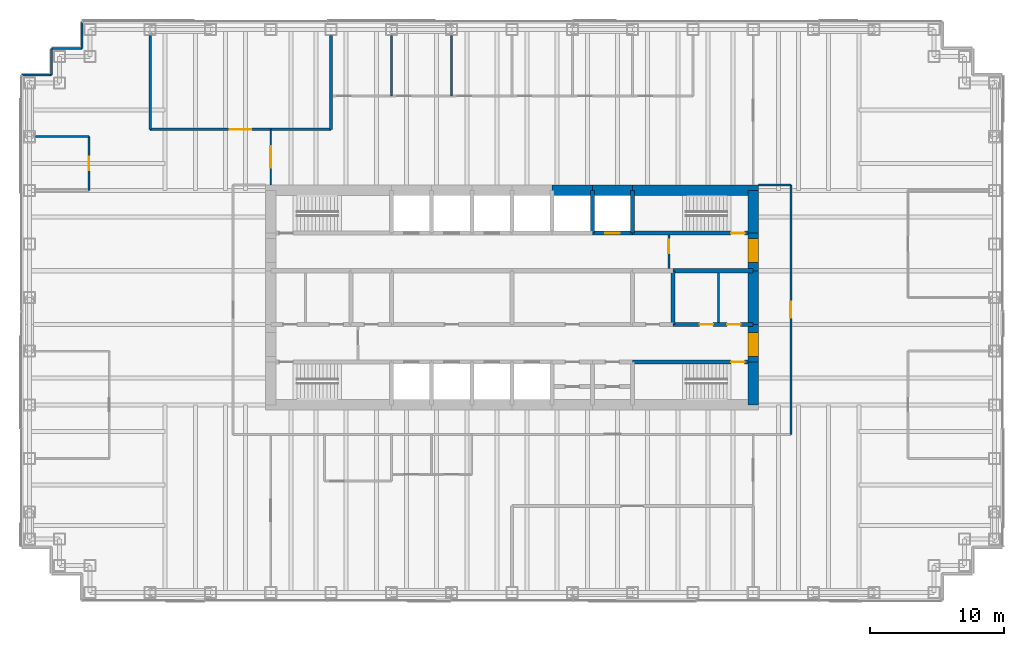
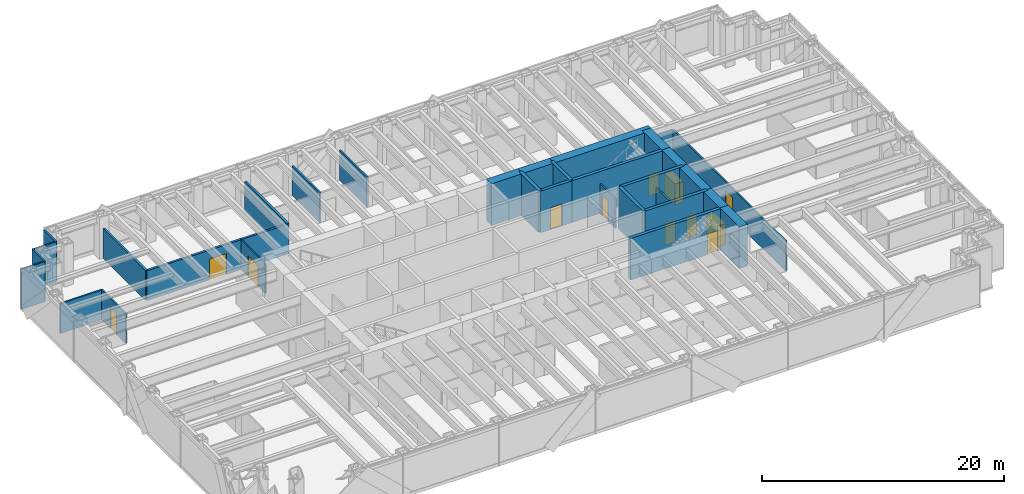
# One storey, part 13 of 15: 32 walls, 12 doors, 12 openings.
"""IFC4 building model written with IfcOpenShell, lengths in metres."""

import ifcopenshell
import ifcopenshell.guid

model = None  # the IFC model being written
_history = None  # IfcOwnerHistory: only IFC2X3 demands one
_inside = {}  # id of a spatial element -> (the spatial element, [elements in it])
_under = {}  # id of a project, library or spatial element -> (it, [spatial elements below it])
_declared = {}  # id of a project -> (the project, [libraries it declares])
_typed = {}  # id of a type object -> (the type object, [elements of that type])
_made_of = {}  # id of a material, layer set ... -> (it, [elements and type objects made of it])


def new_model(schema):
    """Start an empty IFC model of exactly this schema.

    Asked for "IFC4X3", IfcOpenShell would pick the latest addendum, in which some entities
    have other attributes; the version numbers below select the first issue.
    IFC2X3 requires an IfcOwnerHistory on every rooted entity: one is made here for all.
    """
    global model, _history
    if schema == "IFC4X3":
        model = ifcopenshell.file(schema_version=(4, 3, 0, 0))
    else:
        model = ifcopenshell.file(schema=schema)
    _inside.clear()
    _under.clear()
    _declared.clear()
    _typed.clear()
    _made_of.clear()
    _history = None
    if model.schema == "IFC2X3":
        org = make("IfcOrganization", Name="unknown")
        user = make(
            "IfcPersonAndOrganization",
            ThePerson=make("IfcPerson", FamilyName="unknown"),
            TheOrganization=org,
        )
        app = make(
            "IfcApplication",
            ApplicationDeveloper=org,
            Version="unknown",
            ApplicationFullName="unknown",
            ApplicationIdentifier="unknown",
        )
        _history = make(
            "IfcOwnerHistory",
            OwningUser=user,
            OwningApplication=app,
            ChangeAction="ADDED",
            CreationDate=0,
        )
    return model


def make(cls, **values):
    """One entity of the class cls with the attributes given. An attribute that is None is left unset."""
    return model.create_entity(
        cls, **{name: value for name, value in values.items() if value is not None}
    )


def rooted(cls, **values):
    """An entity with a GlobalId (a new one), such as an element, a storey or a relation."""
    return make(cls, GlobalId=ifcopenshell.guid.new(), OwnerHistory=_history, **values)


def si_unit(unit_type, name, prefix=None):
    """IfcSIUnit, for example si_unit("LENGTHUNIT", "METRE", prefix="MILLI")."""
    return make("IfcSIUnit", UnitType=unit_type, Prefix=prefix, Name=name)


def assignment(units):
    """IfcUnitAssignment: the units of a project."""
    return None if units is None else make("IfcUnitAssignment", Units=units)


def point(xyz):
    """IfcCartesianPoint."""
    return None if xyz is None else make("IfcCartesianPoint", Coordinates=xyz)


def direction(xyz):
    """IfcDirection."""
    return None if xyz is None else make("IfcDirection", DirectionRatios=xyz)


def frame(location, z_axis=None, x_axis=None):
    """IfcAxis2Placement3D, a coordinate frame: its origin and axes. An axis left out is left unset."""
    return make(
        "IfcAxis2Placement3D",
        Location=point(location),
        Axis=direction(z_axis),
        RefDirection=direction(x_axis),
    )


def frame_2d(location, x_axis=None):
    """IfcAxis2Placement2D, a coordinate frame in the plane: its origin and x axis."""
    return make(
        "IfcAxis2Placement2D", Location=point(location), RefDirection=direction(x_axis)
    )


def origin():
    """The frame at (0, 0, 0) with its axes left unset."""
    return frame((0.0, 0.0, 0.0))


def place(relative_to, where):
    """IfcLocalPlacement: puts the frame where relative to a parent placement (None: the world)."""
    return make(
        "IfcLocalPlacement", PlacementRelTo=relative_to, RelativePlacement=where
    )


def context(
    kind, dimensions, precision=None, world=None, true_north=None, identifier=None
):
    """IfcGeometricRepresentationContext, for example the 3D "Model" context."""
    return make(
        "IfcGeometricRepresentationContext",
        ContextIdentifier=identifier,
        ContextType=kind,
        CoordinateSpaceDimension=dimensions,
        Precision=precision,
        WorldCoordinateSystem=world,
        TrueNorth=true_north,
    )


def subcontext(parent, identifier, kind, view, scale=None):
    """IfcGeometricRepresentationSubContext, for example "Body" below "Model"."""
    return make(
        "IfcGeometricRepresentationSubContext",
        ContextIdentifier=identifier,
        ContextType=kind,
        ParentContext=parent,
        TargetScale=scale,
        TargetView=view,
    )


def project(units=None, contexts=None):
    """IfcProject with its units and contexts."""
    return rooted(
        "IfcProject",
        Name="project",
        RepresentationContexts=contexts,
        UnitsInContext=assignment(units),
    )


def spatial(cls, under=None, at=None, **own):
    """A site, building, storey or space (cls), placed at a placement, below another one or the project."""
    s = rooted(cls, ObjectPlacement=at, **own)
    if under is not None:
        _under.setdefault(under.id(), (under, []))[1].append(s)
    return s


def profile(cls, at=None, kind="AREA", **sizes):
    """A parametric profile (cls). Its sizes go by their IFC names, for example OverallWidth=200.0."""
    return make(cls, ProfileType=kind, Position=at, **sizes)


def rectangle(**sizes):
    """IfcRectangleProfileDef."""
    return profile("IfcRectangleProfileDef", **sizes)


def extrude(swept, where, along, depth):
    """IfcExtrudedAreaSolid: the profile swept, set in the frame where, extruded along a direction by depth."""
    return make(
        "IfcExtrudedAreaSolid",
        SweptArea=swept,
        Position=where,
        ExtrudedDirection=direction(along),
        Depth=depth,
    )


def shape(context_of_items, identifier, shape_type, items):
    """IfcShapeRepresentation: the items that make up one representation, for example the "Body"."""
    return make(
        "IfcShapeRepresentation",
        ContextOfItems=context_of_items,
        RepresentationIdentifier=identifier,
        RepresentationType=shape_type,
        Items=items,
    )


def material(Name=None, Category=None):
    """IfcMaterial."""
    return make("IfcMaterial", Name=Name, Category=Category)


def layer(
    of_material, thickness, ventilated=None, Name=None, Category=None, Priority=None
):
    """IfcMaterialLayer: one layer of a wall or slab, of a material (None: an air gap)."""
    return make(
        "IfcMaterialLayer",
        Material=of_material,
        LayerThickness=thickness,
        IsVentilated=ventilated,
        Name=Name,
        Category=Category,
        Priority=Priority,
    )


def layer_set(layers, Name=None):
    """IfcMaterialLayerSet."""
    return make("IfcMaterialLayerSet", MaterialLayers=layers, LayerSetName=Name)


def made_of(thing, what):
    """Note that an element or type object is made of a material, layer set ...; save() writes the relation."""
    if what is not None:
        _made_of.setdefault(what.id(), (what, []))[1].append(thing)
    return thing


def type_object(cls, material=None, **own):
    """A type object (cls), such as IfcWallType, which elements share."""
    return made_of(rooted(cls, **own), material)


def element(
    cls,
    number,
    at=None,
    inside=None,
    cuts=None,
    type_object=None,
    material=None,
    context=None,
    identifier="Body",
    shape_type=None,
    held_by="IfcProductDefinitionShape",
    body=None,
    shapes=None,
    **own,
):
    """One element of the class cls, such as IfcWall. Its Tag is "e" and its number.

    at: its placement. inside: the storey or other place that contains it. cuts: it is an
    opening in that element (IfcRelVoidsElement). A single representation is given by context,
    identifier, shape_type and body (its items); several are given by shapes. held_by: the class
    of the entity that holds the representations. save() writes the other relations.
    """
    e = rooted(cls, Tag="e%d" % number, ObjectPlacement=at, **own)
    if body is not None:
        shapes = [shape(context, identifier, shape_type, body)]
    if shapes is not None:
        e.Representation = make(held_by, Representations=shapes)
    if inside is not None:
        _inside.setdefault(inside.id(), (inside, []))[1].append(e)
    if cuts is not None:
        rooted(
            "IfcRelVoidsElement", RelatingBuildingElement=cuts, RelatedOpeningElement=e
        )
    if type_object is not None:
        _typed.setdefault(type_object.id(), (type_object, []))[1].append(e)
    return made_of(e, material)


def fill(opening, filler):
    """IfcRelFillsElement: the door or window that sits in an opening."""
    return rooted(
        "IfcRelFillsElement",
        RelatingOpeningElement=opening,
        RelatedBuildingElement=filler,
    )


def aggregate(whole, parts):
    """IfcRelAggregates: a whole, such as a stair, and the parts it consists of."""
    return rooted("IfcRelAggregates", RelatingObject=whole, RelatedObjects=parts)


def save(model, path):
    """Write the relations noted so far, then the file.

    IfcRelAggregates (storeys below a building ...), IfcRelContainedInSpatialStructure (elements
    in a storey), IfcRelDefinesByType, IfcRelAssociatesMaterial and IfcRelDeclares: one each for
    every whole, place, type object, material and project.
    """
    for whole, parts in _under.values():
        aggregate(whole, parts)
    for where, things in _inside.values():
        rooted(
            "IfcRelContainedInSpatialStructure",
            RelatedElements=things,
            RelatingStructure=where,
        )
    for kind, things in _typed.values():
        rooted("IfcRelDefinesByType", RelatedObjects=things, RelatingType=kind)
    for what, things in _made_of.values():
        rooted("IfcRelAssociatesMaterial", RelatedObjects=things, RelatingMaterial=what)
    for by, libraries in _declared.values():
        rooted("IfcRelDeclares", RelatingContext=by, RelatedDefinitions=libraries)
    model.write(path)


model = new_model("IFC4")

# Units and contexts
model_context = context("Model", 3, precision=1e-05, world=origin(), true_north=direction((0.0, 1.0)))
body_context = subcontext(model_context, "Body", "Model", "MODEL_VIEW")
ifc_project = project(units=[si_unit("LENGTHUNIT", "METRE"), si_unit("AREAUNIT", "SQUARE_METRE"), si_unit("VOLUMEUNIT", "CUBIC_METRE"), si_unit("PLANEANGLEUNIT", "RADIAN"), si_unit("MASSUNIT", "GRAM", prefix="KILO")], contexts=[model_context])

# Site, building, storey
site_placement = place(None, origin())
site = spatial("IfcSite", under=ifc_project, at=site_placement, CompositionType="ELEMENT")
building_placement = place(site_placement, origin())
building = spatial("IfcBuilding", under=site, at=building_placement, Name="Rheinbord Bourse Tower", CompositionType="ELEMENT")
storey_placement = place(building_placement, frame((0.0, 0.0, 236.199951171875)))
storey = spatial("IfcBuildingStorey", under=building, at=storey_placement, Name="L53", CompositionType="ELEMENT", Elevation=236.199951171875)

# Wall, opening, door
ifc_material_1 = material(Name="Acoustic gypsum board partition", Category="gypsum board")
ifc_layer_1 = layer(ifc_material_1, 0.199951171875)
ifc_layer_set_1 = layer_set([ifc_layer_1], Name="ACOUSTIC PARTITION 200")
wall_type_1 = type_object("IfcWallType", Name="ACOUSTIC PARTITION 200", PredefinedType="PARTITIONING", material=ifc_layer_set_1)
wall_1_placement = place(storey_placement, frame((9.0, 36.550048828125, 0.0), z_axis=(0.0, 0.0, 1.0), x_axis=(1.0, 0.0, 0.0)))
wall_1 = element("IfcWall", 1, at=wall_1_placement, inside=storey, type_object=wall_type_1, Name="Partition L53-17", PredefinedType="PARTITIONING", context=body_context, shape_type="SweptSolid", body=[
    extrude(rectangle(XDim=13.5, YDim=0.199951171875, at=frame_2d((6.75, 0.0))), origin(), (0.0, 0.0, 1.0), 3.0),
])
opening_1_placement = place(wall_1_placement, frame((5.949951171875, 0.0, 0.0)))
opening_1 = element("IfcOpeningElement", 2, at=opening_1_placement, cuts=wall_1, Name="Opening 53D09", PredefinedType="OPENING", context=body_context, shape_type="SweptSolid", body=[
    extrude(rectangle(XDim=1.60009765625, YDim=2.10009765625, at=frame_2d((0.800048828125, 1.050048828125))), frame((0.0, 0.10986328125, 0.0), z_axis=(0.0, -1.0, 0.0), x_axis=(1.0, 0.0, 0.0)), (0.0, 0.0, 1.0), 0.219970703125),
])
ifc_material_2 = material(Name="Timber door", Category="wood")
door_type_1 = type_object("IfcDoorType", Name="DOUBLE ROOM DOOR 1600", OperationType="DOUBLE_DOOR_DOUBLE_SWING", PredefinedType="DOOR", material=ifc_material_2)
door_1_placement = place(opening_1_placement, origin())
door_1 = element("IfcDoor", 3, at=door_1_placement, inside=storey, type_object=door_type_1, Name="Board room door L53", OperationType="SINGLE_SWING_LEFT", OverallHeight=2.10009765625, OverallWidth=1.60009765625, PredefinedType="DOOR", context=body_context, shape_type="SweptSolid", body=[
    extrude(rectangle(XDim=1.60009765625, YDim=2.10009765625, at=frame_2d((0.800048828125, 1.050048828125))), frame((0.0, 0.02490234375, 0.0), z_axis=(0.0, -1.0, 0.0), x_axis=(1.0, 0.0, 0.0)), (0.0, 0.0, 1.0), 0.050048828125),
])
fill(opening_1, door_1)

# Walls
for number, where, z_axis, x_axis, name in (
    (4, (9.0, 36.550048828125, 0.0), (0.0, 0.0, 1.0), (0.0, 1.0, 0.0), "Partition L53-21"),
    (5, (22.5, 36.550048828125, 0.0), (0.0, 0.0, 1.0), (0.0, 1.0, 0.0), "Partition L53-26"),
):
    element("IfcWall", number, at=place(storey_placement, frame(where, z_axis=z_axis, x_axis=x_axis)), inside=storey, type_object=wall_type_1, Name=name, PredefinedType="PARTITIONING", context=body_context, shape_type="SweptSolid", body=[
        extrude(rectangle(XDim=7.0, YDim=0.199951171875, at=frame_2d((3.5, 0.0))), origin(), (0.0, 0.0, 1.0), 3.0),
    ])

# Wall, opening, door
ifc_material_3 = material(Name="Concrete C50/60", Category="concrete")
ifc_layer_2 = layer(ifc_material_3, 0.300048828125)
ifc_layer_set_2 = layer_set([ifc_layer_2], Name="CORE INNER WALL 300")
wall_type_2 = type_object("IfcWallType", Name="CORE INNER WALL 300", PredefinedType="SOLIDWALL", material=ifc_layer_set_2)
wall_2_placement = place(storey_placement, frame((45.0, 19.199951171875, 0.0), z_axis=(0.0, 0.0, 1.0), x_axis=(1.0, 0.0, 0.0)))
wall_2 = element("IfcWall", 6, at=wall_2_placement, inside=storey, type_object=wall_type_2, Name="Core wall A8 L53", PredefinedType="SOLIDWALL", context=body_context, shape_type="SweptSolid", body=[
    extrude(rectangle(XDim=9.0, YDim=0.300048828125, at=frame_2d((4.5, 0.0))), origin(), (0.0, 0.0, 1.0), 4.199951171875),
])
opening_2_placement = place(wall_2_placement, frame((7.35009765625, 0.0, 0.0)))
opening_2 = element("IfcOpeningElement", 7, at=opening_2_placement, cuts=wall_2, Name="Opening 5330", PredefinedType="OPENING", context=body_context, shape_type="SweptSolid", body=[
    extrude(rectangle(XDim=1.0, YDim=2.10009765625, at=frame_2d((0.5, 1.050048828125))), frame((0.0, 0.159912109375, 0.0), z_axis=(0.0, -1.0, 0.0), x_axis=(1.0, 0.0, 0.0)), (0.0, 0.0, 1.0), 0.320068359375),
])
ifc_material_4 = material(Name="Steel door", Category="steel")
door_type_2 = type_object("IfcDoorType", Name="DOOR 1000 EI30", OperationType="SINGLE_SWING_LEFT", PredefinedType="DOOR", material=ifc_material_4)
door_2_placement = place(opening_2_placement, origin())
door_2 = element("IfcDoor", 8, at=door_2_placement, inside=storey, type_object=door_type_2, Name="Stair door ST3 L53", OperationType="SINGLE_SWING_RIGHT", OverallHeight=2.10009765625, OverallWidth=1.0, PredefinedType="DOOR", context=body_context, shape_type="SweptSolid", body=[
    extrude(rectangle(XDim=1.0, YDim=2.10009765625, at=frame_2d((0.5, 1.050048828125))), frame((0.0, 0.02490234375, 0.0), z_axis=(0.0, -1.0, 0.0), x_axis=(1.0, 0.0, 0.0)), (0.0, 0.0, 1.0), 0.050048828125),
])
fill(opening_2, door_2)

wall_3_placement = place(storey_placement, frame((42.0, 28.800048828125, 0.0), z_axis=(0.0, 0.0, 1.0), x_axis=(1.0, 0.0, 0.0)))
wall_3 = element("IfcWall", 9, at=wall_3_placement, inside=storey, type_object=wall_type_2, Name="Core wall B7 L53", PredefinedType="SOLIDWALL", context=body_context, shape_type="SweptSolid", body=[
    extrude(rectangle(XDim=3.0, YDim=0.300048828125, at=frame_2d((1.5, 0.0))), origin(), (0.0, 0.0, 1.0), 4.199951171875),
])
opening_3_placement = place(wall_3_placement, frame((0.949951171875, 0.0, 0.0)))
opening_3 = element("IfcOpeningElement", 10, at=opening_3_placement, cuts=wall_3, Name="Opening FL2", PredefinedType="OPENING", context=body_context, shape_type="SweptSolid", body=[
    extrude(rectangle(XDim=1.10009765625, YDim=2.199951171875, at=frame_2d((0.550048828125, 1.10009765625))), frame((0.0, 0.159912109375, 0.0), z_axis=(0.0, -1.0, 0.0), x_axis=(1.0, 0.0, 0.0)), (0.0, 0.0, 1.0), 0.320068359375),
])
ifc_material_5 = material(Name="Steel landing door", Category="steel")
door_type_3 = type_object("IfcDoorType", Name="LIFT LANDING DOOR 1100", OperationType="DOUBLE_DOOR_SLIDING", PredefinedType="USERDEFINED", material=ifc_material_5)
door_3_placement = place(opening_3_placement, origin())
door_3 = element("IfcDoor", 11, at=door_3_placement, inside=storey, type_object=door_type_3, Name="Lift landing door FL2 L53", ObjectType="LIFT LANDING DOOR", OperationType="DOUBLE_DOOR_SLIDING", OverallHeight=2.199951171875, OverallWidth=1.10009765625, PredefinedType="USERDEFINED", context=body_context, shape_type="SweptSolid", body=[
    extrude(rectangle(XDim=1.10009765625, YDim=2.199951171875, at=frame_2d((0.550048828125, 1.10009765625))), frame((0.0, 0.02490234375, 0.0), z_axis=(0.0, -1.0, 0.0), x_axis=(1.0, 0.0, 0.0)), (0.0, 0.0, 1.0), 0.050048828125),
])
fill(opening_3, door_3)

wall_4_placement = place(storey_placement, frame((45.0, 28.800048828125, 0.0), z_axis=(0.0, 0.0, 1.0), x_axis=(1.0, 0.0, 0.0)))
wall_4 = element("IfcWall", 12, at=wall_4_placement, inside=storey, type_object=wall_type_2, Name="Core wall B8 L53", PredefinedType="SOLIDWALL", context=body_context, shape_type="SweptSolid", body=[
    extrude(rectangle(XDim=9.0, YDim=0.300048828125, at=frame_2d((4.5, 0.0))), origin(), (0.0, 0.0, 1.0), 4.199951171875),
])
opening_4_placement = place(wall_4_placement, frame((7.35009765625, 0.0, 0.0)))
opening_4 = element("IfcOpeningElement", 13, at=opening_4_placement, cuts=wall_4, Name="Opening 5340", PredefinedType="OPENING", context=body_context, shape_type="SweptSolid", body=[
    extrude(rectangle(XDim=1.0, YDim=2.10009765625, at=frame_2d((0.5, 1.050048828125))), frame((0.0, 0.159912109375, 0.0), z_axis=(0.0, -1.0, 0.0), x_axis=(1.0, 0.0, 0.0)), (0.0, 0.0, 1.0), 0.320068359375),
])
door_4_placement = place(opening_4_placement, origin())
door_4 = element("IfcDoor", 14, at=door_4_placement, inside=storey, type_object=door_type_2, Name="Stair door ST4 L53", OperationType="SINGLE_SWING_RIGHT", OverallHeight=2.10009765625, OverallWidth=1.0, PredefinedType="DOOR", context=body_context, shape_type="SweptSolid", body=[
    extrude(rectangle(XDim=1.0, YDim=2.10009765625, at=frame_2d((0.5, 1.050048828125))), frame((0.0, 0.02490234375, 0.0), z_axis=(0.0, -1.0, 0.0), x_axis=(1.0, 0.0, 0.0)), (0.0, 0.0, 1.0), 0.050048828125),
])
fill(opening_4, door_4)

# Wall, openings, doors
wall_5_placement = place(storey_placement, frame((48.0, 22.0, 0.0), z_axis=(0.0, 0.0, 1.0), x_axis=(1.0, 0.0, 0.0)))
wall_5 = element("IfcWall", 15, at=wall_5_placement, inside=storey, type_object=wall_type_2, Name="Core wall C6 L53", PredefinedType="SOLIDWALL", context=body_context, shape_type="SweptSolid", body=[
    extrude(rectangle(XDim=6.0, YDim=0.300048828125, at=frame_2d((3.0, 0.0))), origin(), (0.0, 0.0, 1.0), 4.199951171875),
])
opening_5_placement = place(wall_5_placement, frame((2.0, 0.0, 0.0)))
opening_5 = element("IfcOpeningElement", 16, at=opening_5_placement, cuts=wall_5, Name="Opening 53R6", PredefinedType="OPENING", context=body_context, shape_type="SweptSolid", body=[
    extrude(rectangle(XDim=1.0, YDim=2.10009765625, at=frame_2d((0.5, 1.050048828125))), frame((0.0, 0.159912109375, 0.0), z_axis=(0.0, -1.0, 0.0), x_axis=(1.0, 0.0, 0.0)), (0.0, 0.0, 1.0), 0.320068359375),
])
opening_6_placement = place(wall_5_placement, frame((4.050048828125, 0.0, 0.0)))
opening_6 = element("IfcOpeningElement", 17, at=opening_6_placement, cuts=wall_5, Name="Opening 53R10", PredefinedType="OPENING", context=body_context, shape_type="SweptSolid", body=[
    extrude(rectangle(XDim=1.0, YDim=2.10009765625, at=frame_2d((0.5, 1.050048828125))), frame((0.0, 0.159912109375, 0.0), z_axis=(0.0, -1.0, 0.0), x_axis=(1.0, 0.0, 0.0)), (0.0, 0.0, 1.0), 0.320068359375),
])
door_5_placement = place(opening_6_placement, origin())
door_5 = element("IfcDoor", 18, at=door_5_placement, inside=storey, type_object=door_type_2, Name="Cleaner's store door L53", OperationType="SINGLE_SWING_RIGHT", OverallHeight=2.10009765625, OverallWidth=1.0, PredefinedType="DOOR", context=body_context, shape_type="SweptSolid", body=[
    extrude(rectangle(XDim=1.0, YDim=2.10009765625, at=frame_2d((0.5, 1.050048828125))), frame((0.0, 0.02490234375, 0.0), z_axis=(0.0, -1.0, 0.0), x_axis=(1.0, 0.0, 0.0)), (0.0, 0.0, 1.0), 0.050048828125),
])
fill(opening_6, door_5)
ifc_material_6 = material(Name="Timber door", Category="wood")
door_type_4 = type_object("IfcDoorType", Name="DOOR 1000 WC", OperationType="SINGLE_SWING_LEFT", PredefinedType="DOOR", material=ifc_material_6)
door_6_placement = place(opening_5_placement, origin())
door_6 = element("IfcDoor", 19, at=door_6_placement, inside=storey, type_object=door_type_4, Name="WC women door L53", OperationType="SINGLE_SWING_LEFT", OverallHeight=2.10009765625, OverallWidth=1.0, PredefinedType="DOOR", context=body_context, shape_type="SweptSolid", body=[
    extrude(rectangle(XDim=1.0, YDim=2.10009765625, at=frame_2d((0.5, 1.050048828125))), frame((0.0, 0.02490234375, 0.0), z_axis=(0.0, -1.0, 0.0), x_axis=(1.0, 0.0, 0.0)), (0.0, 0.0, 1.0), 0.050048828125),
])
fill(opening_5, door_6)

# Walls
wall_6_placement = place(storey_placement, frame((48.0, 26.0, 0.0), z_axis=(0.0, 0.0, 1.0), x_axis=(1.0, 0.0, 0.0)))
element("IfcWall", 20, at=wall_6_placement, inside=storey, type_object=wall_type_2, Name="Core wall D6 L53", PredefinedType="SOLIDWALL", context=body_context, shape_type="SweptSolid", body=[
    extrude(rectangle(XDim=6.0, YDim=0.300048828125, at=frame_2d((3.0, 0.0))), origin(), (0.0, 0.0, 1.0), 4.199951171875),
])
for number, where, z_axis, x_axis, name in (
    (21, (42.0, 28.800048828125, 0.0), (0.0, 0.0, 1.0), (0.0, 1.0, 0.0), "Core wall NX42 L53"),
    (22, (45.0, 28.800048828125, 0.0), (0.0, 0.0, 1.0), (0.0, 1.0, 0.0), "Core wall NX45 L53"),
):
    element("IfcWall", number, at=place(storey_placement, frame(where, z_axis=z_axis, x_axis=x_axis)), inside=storey, type_object=wall_type_2, Name=name, PredefinedType="SOLIDWALL", context=body_context, shape_type="SweptSolid", body=[
        extrude(rectangle(XDim=3.199951171875, YDim=0.300048828125, at=frame_2d((1.60009765625, 0.0))), origin(), (0.0, 0.0, 1.0), 4.199951171875),
    ])
wall_7_placement = place(storey_placement, frame((48.0, 22.0, 0.0), z_axis=(0.0, 0.0, 1.0), x_axis=(0.0, 1.0, 0.0)))
element("IfcWall", 23, at=wall_7_placement, inside=storey, type_object=wall_type_2, Name="Core wall MX48 L53", PredefinedType="SOLIDWALL", context=body_context, shape_type="SweptSolid", body=[
    extrude(rectangle(XDim=4.0, YDim=0.300048828125, at=frame_2d((2.0, 0.0))), origin(), (0.0, 0.0, 1.0), 4.199951171875),
])
ifc_material_7 = material(Name="Gypsum board fire partition", Category="gypsum board")
ifc_layer_3 = layer(ifc_material_7, 0.14990234375)
ifc_layer_set_3 = layer_set([ifc_layer_3], Name="CORE PARTITION 150 EI30")
wall_type_3 = type_object("IfcWallType", Name="CORE PARTITION 150 EI30", PredefinedType="PARTITIONING", material=ifc_layer_set_3)
wall_8_placement = place(storey_placement, frame((51.425048828125, 22.14990234375, 0.0), z_axis=(0.0, 0.0, 1.0), x_axis=(0.0, 1.0, 0.0)))
element("IfcWall", 24, at=wall_8_placement, inside=storey, type_object=wall_type_3, Name="Core partition L53-3", PredefinedType="PARTITIONING", context=body_context, shape_type="SweptSolid", body=[
    extrude(rectangle(XDim=3.7001953125, YDim=0.14990234375, at=frame_2d((1.85009765625, 0.0))), origin(), (0.0, 0.0, 1.0), 3.0),
])

# Wall, opening, door
wall_9_placement = place(storey_placement, frame((47.699951171875, 26.14990234375, 0.0), z_axis=(0.0, 0.0, 1.0), x_axis=(0.0, 1.0, 0.0)))
wall_9 = element("IfcWall", 25, at=wall_9_placement, inside=storey, type_object=wall_type_3, Name="Core partition L53-5", PredefinedType="PARTITIONING", context=body_context, shape_type="SweptSolid", body=[
    extrude(rectangle(XDim=2.5, YDim=0.14990234375, at=frame_2d((1.25, 0.0))), origin(), (0.0, 0.0, 1.0), 3.0),
])
opening_7_placement = place(wall_9_placement, frame((1.14990234375, 0.0, 0.0)))
opening_7 = element("IfcOpeningElement", 26, at=opening_7_placement, cuts=wall_9, Name="Opening 53L6", PredefinedType="OPENING", context=body_context, shape_type="SweptSolid", body=[
    extrude(rectangle(XDim=1.0, YDim=2.10009765625, at=frame_2d((0.5, 1.050048828125))), frame((0.0, 0.0849609375, 0.0), z_axis=(0.0, -1.0, 0.0), x_axis=(1.0, 0.0, 0.0)), (0.0, 0.0, 1.0), 0.169921875),
])
door_7_placement = place(opening_7_placement, origin())
door_7 = element("IfcDoor", 27, at=door_7_placement, inside=storey, type_object=door_type_2, Name="Stair lobby door L53", OperationType="SINGLE_SWING_RIGHT", OverallHeight=2.10009765625, OverallWidth=1.0, PredefinedType="DOOR", context=body_context, shape_type="SweptSolid", body=[
    extrude(rectangle(XDim=1.0, YDim=2.10009765625, at=frame_2d((0.5, 1.050048828125))), frame((0.0, 0.02490234375, 0.0), z_axis=(0.0, -1.0, 0.0), x_axis=(1.0, 0.0, 0.0)), (0.0, 0.0, 1.0), 0.050048828125),
])
fill(opening_7, door_7)

# Walls
ifc_material_8 = material(Name="Concrete C50/60", Category="concrete")
ifc_layer_4 = layer(ifc_material_8, 0.800048828125)
ifc_layer_set_4 = layer_set([ifc_layer_4], Name="CORE WALL 800")
wall_type_4 = type_object("IfcWallType", Name="CORE WALL 800", PredefinedType="SHEAR", material=ifc_layer_set_4)
wall_10_placement = place(storey_placement, frame((54.39990234375, 32.0, 0.0), z_axis=(0.0, 0.0, 1.0), x_axis=(-1.0, 0.0, 0.0)))
element("IfcWall", 28, at=wall_10_placement, inside=storey, type_object=wall_type_4, Name="Core wall N1 L53", PredefinedType="SHEAR", context=body_context, shape_type="SweptSolid", body=[
    extrude(rectangle(XDim=9.39990234375, YDim=0.800048828125, at=frame_2d((4.699951171875, 0.0))), origin(), (0.0, 0.0, 1.0), 4.199951171875),
])
for number, where, z_axis, x_axis, name in (
    (29, (45.0, 32.0, 0.0), (0.0, 0.0, 1.0), (-1.0, 0.0, 0.0), "Core wall N2 L53"),
    (30, (42.0, 32.0, 0.0), (0.0, 0.0, 1.0), (-1.0, 0.0, 0.0), "Core wall N3 L53"),
):
    element("IfcWall", number, at=place(storey_placement, frame(where, z_axis=z_axis, x_axis=x_axis)), inside=storey, type_object=wall_type_4, Name=name, PredefinedType="SHEAR", context=body_context, shape_type="SweptSolid", body=[
        extrude(rectangle(XDim=3.0, YDim=0.800048828125, at=frame_2d((1.5, 0.0))), origin(), (0.0, 0.0, 1.0), 4.199951171875),
    ])
wall_11_placement = place(storey_placement, frame((54.0, 16.0, 0.0), z_axis=(0.0, 0.0, 1.0), x_axis=(0.0, 1.0, 0.0)))
element("IfcWall", 31, at=wall_11_placement, inside=storey, type_object=wall_type_4, Name="Core wall E1 L53", PredefinedType="SHEAR", context=body_context, shape_type="SweptSolid", body=[
    extrude(rectangle(XDim=3.199951171875, YDim=0.800048828125, at=frame_2d((1.60009765625, 0.0))), origin(), (0.0, 0.0, 1.0), 4.199951171875),
])

# Wall, opening, door
wall_12_placement = place(storey_placement, frame((54.0, 19.199951171875, 0.0), z_axis=(0.0, 0.0, 1.0), x_axis=(0.0, 1.0, 0.0)))
wall_12 = element("IfcWall", 32, at=wall_12_placement, inside=storey, type_object=wall_type_4, Name="Core wall E2 L53", PredefinedType="SHEAR", context=body_context, shape_type="SweptSolid", body=[
    extrude(rectangle(XDim=2.800048828125, YDim=0.800048828125, at=frame_2d((1.39990234375, 0.0))), origin(), (0.0, 0.0, 1.0), 4.199951171875),
])
opening_8_placement = place(wall_12_placement, frame((0.39990234375, 0.0, 0.0)))
opening_8 = element("IfcOpeningElement", 33, at=opening_8_placement, cuts=wall_12, Name="Opening 53L3", PredefinedType="OPENING", context=body_context, shape_type="SweptSolid", body=[
    extrude(rectangle(XDim=1.800048828125, YDim=2.10009765625, at=frame_2d((0.89990234375, 1.050048828125))), frame((0.0, 0.409912109375, 0.0), z_axis=(0.0, -1.0, 0.0), x_axis=(1.0, 0.0, 0.0)), (0.0, 0.0, 1.0), 0.820068359375),
])
ifc_material_9 = material(Name="Steel door", Category="steel")
door_type_5 = type_object("IfcDoorType", Name="DOOR 1800 EI30 DOUBLE", OperationType="DOUBLE_DOOR_DOUBLE_SWING", PredefinedType="DOOR", material=ifc_material_9)
door_8_placement = place(opening_8_placement, origin())
door_8 = element("IfcDoor", 34, at=door_8_placement, inside=storey, type_object=door_type_5, Name="Lobby door 3 L53", OperationType="SINGLE_SWING_LEFT", OverallHeight=2.10009765625, OverallWidth=1.800048828125, PredefinedType="DOOR", context=body_context, shape_type="SweptSolid", body=[
    extrude(rectangle(XDim=1.800048828125, YDim=2.10009765625, at=frame_2d((0.89990234375, 1.050048828125))), frame((0.0, 0.39990234375, 0.0), z_axis=(0.0, -1.0, 0.0), x_axis=(1.0, 0.0, 0.0)), (0.0, 0.0, 1.0), 0.799560546875),
])
fill(opening_8, door_8)

# Wall
wall_13_placement = place(storey_placement, frame((54.0, 22.0, 0.0), z_axis=(0.0, 0.0, 1.0), x_axis=(0.0, 1.0, 0.0)))
element("IfcWall", 35, at=wall_13_placement, inside=storey, type_object=wall_type_4, Name="Core wall E3 L53", PredefinedType="SHEAR", context=body_context, shape_type="SweptSolid", body=[
    extrude(rectangle(XDim=4.0, YDim=0.800048828125, at=frame_2d((2.0, 0.0))), origin(), (0.0, 0.0, 1.0), 4.199951171875),
])

# Wall, opening, door
wall_14_placement = place(storey_placement, frame((54.0, 26.0, 0.0), z_axis=(0.0, 0.0, 1.0), x_axis=(0.0, 1.0, 0.0)))
wall_14 = element("IfcWall", 36, at=wall_14_placement, inside=storey, type_object=wall_type_4, Name="Core wall E4 L53", PredefinedType="SHEAR", context=body_context, shape_type="SweptSolid", body=[
    extrude(rectangle(XDim=2.800048828125, YDim=0.800048828125, at=frame_2d((1.39990234375, 0.0))), origin(), (0.0, 0.0, 1.0), 4.199951171875),
])
opening_9_placement = place(wall_14_placement, frame((0.60009765625, 0.0, 0.0)))
opening_9 = element("IfcOpeningElement", 37, at=opening_9_placement, cuts=wall_14, Name="Opening 53L4", PredefinedType="OPENING", context=body_context, shape_type="SweptSolid", body=[
    extrude(rectangle(XDim=1.800048828125, YDim=2.10009765625, at=frame_2d((0.89990234375, 1.050048828125))), frame((0.0, 0.409912109375, 0.0), z_axis=(0.0, -1.0, 0.0), x_axis=(1.0, 0.0, 0.0)), (0.0, 0.0, 1.0), 0.820068359375),
])
door_9_placement = place(opening_9_placement, origin())
door_9 = element("IfcDoor", 38, at=door_9_placement, inside=storey, type_object=door_type_5, Name="Lobby door 4 L53", OperationType="SINGLE_SWING_LEFT", OverallHeight=2.10009765625, OverallWidth=1.800048828125, PredefinedType="DOOR", context=body_context, shape_type="SweptSolid", body=[
    extrude(rectangle(XDim=1.800048828125, YDim=2.10009765625, at=frame_2d((0.89990234375, 1.050048828125))), frame((0.0, 0.39990234375, 0.0), z_axis=(0.0, -1.0, 0.0), x_axis=(1.0, 0.0, 0.0)), (0.0, 0.0, 1.0), 0.799560546875),
])
fill(opening_9, door_9)

# Walls
wall_15_placement = place(storey_placement, frame((54.0, 28.800048828125, 0.0), z_axis=(0.0, 0.0, 1.0), x_axis=(0.0, 1.0, 0.0)))
element("IfcWall", 39, at=wall_15_placement, inside=storey, type_object=wall_type_4, Name="Core wall E5 L53", PredefinedType="SHEAR", context=body_context, shape_type="SweptSolid", body=[
    extrude(rectangle(XDim=3.199951171875, YDim=0.800048828125, at=frame_2d((1.60009765625, 0.0))), origin(), (0.0, 0.0, 1.0), 4.199951171875),
])
ifc_material_10 = material(Name="Black metal rainscreen panel", Category="aluminium")
ifc_layer_5 = layer(ifc_material_10, 0.14990234375)
ifc_layer_set_5 = layer_set([ifc_layer_5], Name="CORNER PIER CLADDING 150")
wall_type_5 = type_object("IfcWallType", Name="CORNER PIER CLADDING 150", PredefinedType="ELEMENTEDWALL", material=ifc_layer_set_5)
wall_16_placement = place(storey_placement, frame((3.89990234375, 44.60009765625, 0.0), z_axis=(0.0, 0.0, 1.0), x_axis=(0.0, -1.0, 0.0)))
element("IfcWall", 40, at=wall_16_placement, inside=storey, type_object=wall_type_5, Name="Corner pier cladding L53 12", PredefinedType="ELEMENTEDWALL", context=body_context, shape_type="SweptSolid", body=[
    extrude(rectangle(XDim=2.0, YDim=0.14990234375, at=frame_2d((1.0, 0.0))), origin(), (0.0, 0.0, 1.0), 4.0400390625),
])
wall_17_placement = place(storey_placement, frame((3.89990234375, 42.60009765625, 0.0), z_axis=(0.0, 0.0, 1.0), x_axis=(-1.0, 0.0, 0.0)))
element("IfcWall", 41, at=wall_17_placement, inside=storey, type_object=wall_type_5, Name="Corner pier cladding L53 13", PredefinedType="ELEMENTEDWALL", context=body_context, shape_type="SweptSolid", body=[
    extrude(rectangle(XDim=2.25, YDim=0.14990234375, at=frame_2d((1.125, 0.0))), origin(), (0.0, 0.0, 1.0), 4.0400390625),
])
wall_18_placement = place(storey_placement, frame((1.64990234375, 42.60009765625, 0.0), z_axis=(0.0, 0.0, 1.0), x_axis=(0.0, -1.0, 0.0)))
element("IfcWall", 42, at=wall_18_placement, inside=storey, type_object=wall_type_5, Name="Corner pier cladding L53 14", PredefinedType="ELEMENTEDWALL", context=body_context, shape_type="SweptSolid", body=[
    extrude(rectangle(XDim=2.0, YDim=0.14990234375, at=frame_2d((1.0, 0.0))), origin(), (0.0, 0.0, 1.0), 4.0400390625),
])
wall_19_placement = place(storey_placement, frame((1.64990234375, 40.60009765625, 0.0), z_axis=(0.0, 0.0, 1.0), x_axis=(-1.0, 0.0, 0.0)))
element("IfcWall", 43, at=wall_19_placement, inside=storey, type_object=wall_type_5, Name="Corner pier cladding L53 15", PredefinedType="ELEMENTEDWALL", context=body_context, shape_type="SweptSolid", body=[
    extrude(rectangle(XDim=2.25, YDim=0.14990234375, at=frame_2d((1.125, 0.0))), origin(), (0.0, 0.0, 1.0), 4.0400390625),
])
ifc_material_11 = material(Name="Gypsum board corridor partition", Category="gypsum board")
ifc_layer_6 = layer(ifc_material_11, 0.14990234375)
ifc_layer_set_6 = layer_set([ifc_layer_6], Name="CORRIDOR PARTITION 150 EI30")
wall_type_6 = type_object("IfcWallType", Name="CORRIDOR PARTITION 150 EI30", PredefinedType="PARTITIONING", material=ifc_layer_set_6)
wall_20_placement = place(storey_placement, frame((54.39990234375, 32.39990234375, 0.0), z_axis=(0.0, 0.0, 1.0), x_axis=(1.0, 0.0, 0.0)))
element("IfcWall", 44, at=wall_20_placement, inside=storey, type_object=wall_type_6, Name="Partition L53-15", PredefinedType="PARTITIONING", context=body_context, shape_type="SweptSolid", body=[
    extrude(rectangle(XDim=2.400146484375, YDim=0.14990234375, at=frame_2d((1.2001953125, 0.0))), origin(), (0.0, 0.0, 1.0), 3.0),
])

# Wall, opening, door
wall_21_placement = place(storey_placement, frame((56.800048828125, 13.800048828125, 0.0), z_axis=(0.0, 0.0, 1.0), x_axis=(0.0, 1.0, 0.0)))
wall_21 = element("IfcWall", 45, at=wall_21_placement, inside=storey, type_object=wall_type_6, Name="Partition L53-40", PredefinedType="PARTITIONING", context=body_context, shape_type="SweptSolid", body=[
    extrude(rectangle(XDim=18.599853515625, YDim=0.14990234375, at=frame_2d((9.2998046875, 0.0))), origin(), (0.0, 0.0, 1.0), 3.0),
])
opening_10_placement = place(wall_21_placement, frame((8.699951171875, 0.0, 0.0)))
opening_10 = element("IfcOpeningElement", 46, at=opening_10_placement, cuts=wall_21, Name="Opening 53D21", PredefinedType="OPENING", context=body_context, shape_type="SweptSolid", body=[
    extrude(rectangle(XDim=1.199951171875, YDim=2.10009765625, at=frame_2d((0.60009765625, 1.050048828125))), frame((0.0, 0.0849609375, 0.0), z_axis=(0.0, -1.0, 0.0), x_axis=(1.0, 0.0, 0.0)), (0.0, 0.0, 1.0), 0.169921875),
])
ifc_material_12 = material(Name="Timber fire door", Category="wood")
door_type_6 = type_object("IfcDoorType", Name="SUITE ENTRANCE DOOR 1200 EI30", OperationType="SINGLE_SWING_LEFT", PredefinedType="DOOR", material=ifc_material_12)
door_10_placement = place(opening_10_placement, origin())
door_10 = element("IfcDoor", 47, at=door_10_placement, inside=storey, type_object=door_type_6, Name="Suite entrance 2 door L53", OperationType="SINGLE_SWING_LEFT", OverallHeight=2.10009765625, OverallWidth=1.199951171875, PredefinedType="DOOR", context=body_context, shape_type="SweptSolid", body=[
    extrude(rectangle(XDim=1.199951171875, YDim=2.10009765625, at=frame_2d((0.60009765625, 1.050048828125))), frame((0.0, 0.02490234375, 0.0), z_axis=(0.0, -1.0, 0.0), x_axis=(1.0, 0.0, 0.0)), (0.0, 0.0, 1.0), 0.050048828125),
])
fill(opening_10, door_10)

ifc_material_13 = material(Name="Toughened laminated glass partition", Category="glass")
ifc_layer_7 = layer(ifc_material_13, 0.10009765625)
ifc_layer_set_7 = layer_set([ifc_layer_7], Name="GLAZED PARTITION 100")
wall_type_7 = type_object("IfcWallType", Name="GLAZED PARTITION 100", PredefinedType="PARTITIONING", material=ifc_layer_set_7)
wall_22_placement = place(storey_placement, frame((18.0, 32.39990234375, 0.0), z_axis=(0.0, 0.0, 1.0), x_axis=(0.0, 1.0, 0.0)))
wall_22 = element("IfcWall", 48, at=wall_22_placement, inside=storey, type_object=wall_type_7, Name="Partition L53-24", PredefinedType="PARTITIONING", context=body_context, shape_type="SweptSolid", body=[
    extrude(rectangle(XDim=4.150146484375, YDim=0.10009765625, at=frame_2d((2.0751953125, 0.0))), origin(), (0.0, 0.0, 1.0), 3.0),
])
opening_11_placement = place(wall_22_placement, frame((1.27490234375, 0.0, 0.0)))
opening_11 = element("IfcOpeningElement", 49, at=opening_11_placement, cuts=wall_22, Name="Opening 53D17", PredefinedType="OPENING", context=body_context, shape_type="SweptSolid", body=[
    extrude(rectangle(XDim=1.60009765625, YDim=2.10009765625, at=frame_2d((0.800048828125, 1.050048828125))), frame((0.0, 0.06005859375, 0.0), z_axis=(0.0, -1.0, 0.0), x_axis=(1.0, 0.0, 0.0)), (0.0, 0.0, 1.0), 0.1201171875),
])
door_11_placement = place(opening_11_placement, origin())
door_11 = element("IfcDoor", 50, at=door_11_placement, inside=storey, type_object=door_type_1, Name="Open area door L53", OperationType="SINGLE_SWING_LEFT", OverallHeight=2.10009765625, OverallWidth=1.60009765625, PredefinedType="DOOR", context=body_context, shape_type="SweptSolid", body=[
    extrude(rectangle(XDim=1.60009765625, YDim=2.10009765625, at=frame_2d((0.800048828125, 1.050048828125))), frame((0.0, 0.02490234375, 0.0), z_axis=(0.0, -1.0, 0.0), x_axis=(1.0, 0.0, 0.0)), (0.0, 0.0, 1.0), 0.050048828125),
])
fill(opening_11, door_11)

# Wall
ifc_material_14 = material(Name="Gypsum board partition", Category="gypsum board")
ifc_layer_8 = layer(ifc_material_14, 0.14990234375)
ifc_layer_set_8 = layer_set([ifc_layer_8], Name="PARTITION 150")
wall_type_8 = type_object("IfcWallType", Name="PARTITION 150", PredefinedType="PARTITIONING", material=ifc_layer_set_8)
wall_23_placement = place(storey_placement, frame((0.449951171875, 36.0, 0.0), z_axis=(0.0, 0.0, 1.0), x_axis=(1.0, 0.0, 0.0)))
element("IfcWall", 51, at=wall_23_placement, inside=storey, type_object=wall_type_8, Name="Partition L53-16", PredefinedType="PARTITIONING", context=body_context, shape_type="SweptSolid", body=[
    extrude(rectangle(XDim=4.0, YDim=0.14990234375, at=frame_2d((2.0, 0.0))), origin(), (0.0, 0.0, 1.0), 3.0),
])

# Wall, opening, door
wall_24_placement = place(storey_placement, frame((4.449951171875, 32.0, 0.0), z_axis=(0.0, 0.0, 1.0), x_axis=(0.0, 1.0, 0.0)))
wall_24 = element("IfcWall", 52, at=wall_24_placement, inside=storey, type_object=wall_type_8, Name="Partition L53-19", PredefinedType="PARTITIONING", context=body_context, shape_type="SweptSolid", body=[
    extrude(rectangle(XDim=4.0, YDim=0.14990234375, at=frame_2d((2.0, 0.0))), origin(), (0.0, 0.0, 1.0), 3.0),
])
opening_12_placement = place(wall_24_placement, frame((1.5, 0.0, 0.0)))
opening_12 = element("IfcOpeningElement", 53, at=opening_12_placement, cuts=wall_24, Name="Opening 53D08", PredefinedType="OPENING", context=body_context, shape_type="SweptSolid", body=[
    extrude(rectangle(XDim=1.0, YDim=2.10009765625, at=frame_2d((0.5, 1.050048828125))), frame((0.0, 0.0849609375, 0.0), z_axis=(0.0, -1.0, 0.0), x_axis=(1.0, 0.0, 0.0)), (0.0, 0.0, 1.0), 0.169921875),
])
ifc_material_15 = material(Name="Timber door", Category="wood")
door_type_7 = type_object("IfcDoorType", Name="ROOM DOOR 1000", OperationType="SINGLE_SWING_LEFT", PredefinedType="DOOR", material=ifc_material_15)
door_12_placement = place(opening_12_placement, origin())
door_12 = element("IfcDoor", 54, at=door_12_placement, inside=storey, type_object=door_type_7, Name="Print room door L53", OperationType="SINGLE_SWING_LEFT", OverallHeight=2.10009765625, OverallWidth=1.0, PredefinedType="DOOR", context=body_context, shape_type="SweptSolid", body=[
    extrude(rectangle(XDim=1.0, YDim=2.10009765625, at=frame_2d((0.5, 1.050048828125))), frame((0.0, 0.02490234375, 0.0), z_axis=(0.0, -1.0, 0.0), x_axis=(1.0, 0.0, 0.0)), (0.0, 0.0, 1.0), 0.050048828125),
])
fill(opening_12, door_12)

# Walls
for number, where, z_axis, x_axis, name in (
    (55, (27.0, 39.050048828125, 0.0), (0.0, 0.0, 1.0), (0.0, 1.0, 0.0), "Partition L53-28"),
    (56, (31.5, 39.050048828125, 0.0), (0.0, 0.0, 1.0), (0.0, 1.0, 0.0), "Partition L53-30"),
):
    element("IfcWall", number, at=place(storey_placement, frame(where, z_axis=z_axis, x_axis=x_axis)), inside=storey, type_object=wall_type_8, Name=name, PredefinedType="PARTITIONING", context=body_context, shape_type="SweptSolid", body=[
        extrude(rectangle(XDim=4.5, YDim=0.14990234375, at=frame_2d((2.25, 0.0))), origin(), (0.0, 0.0, 1.0), 3.0),
    ])

save(model, "model.ifc")
